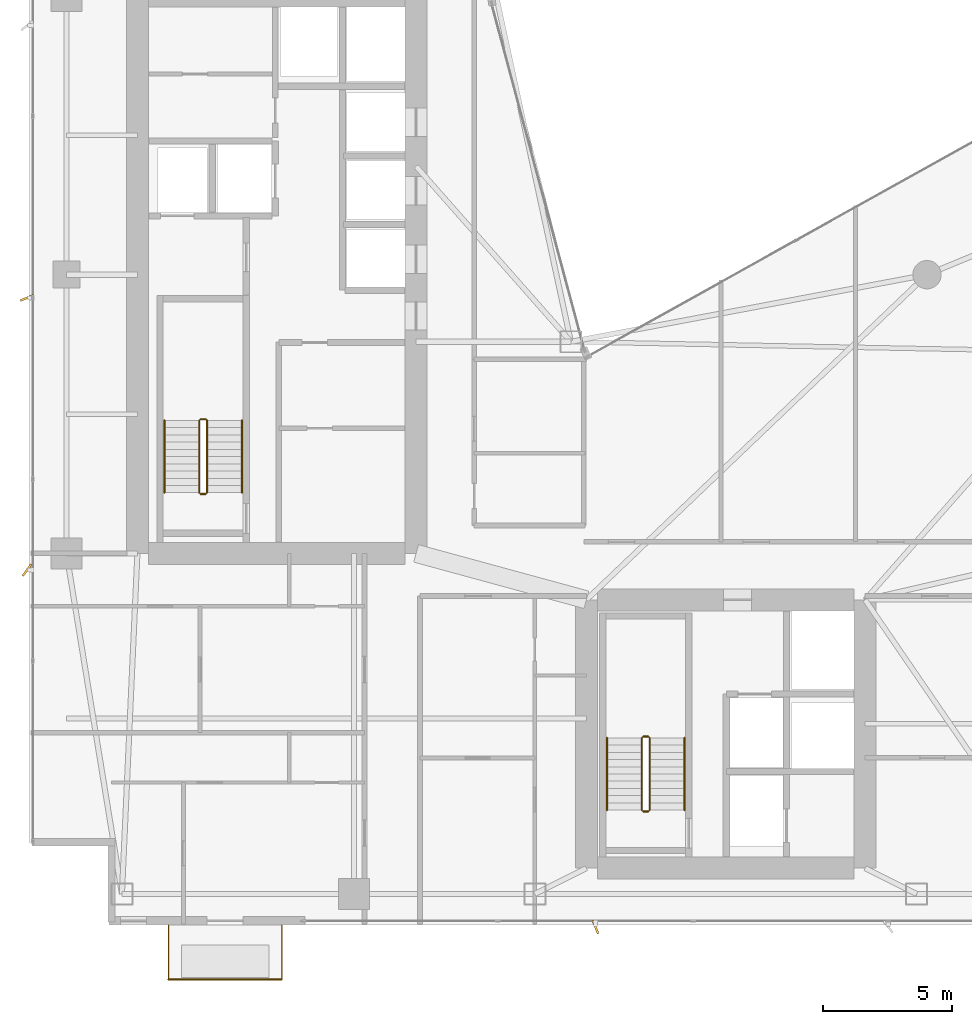
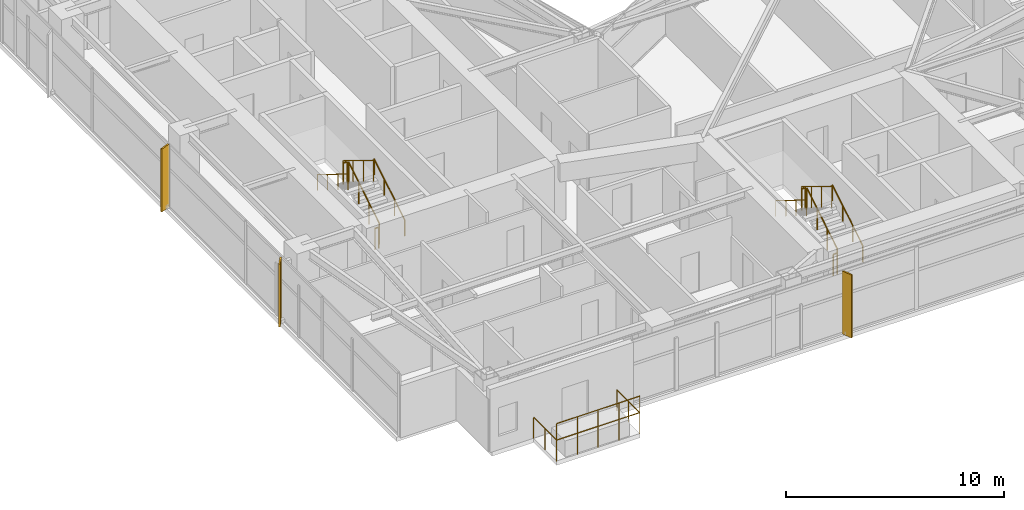
# One storey, part 27 of 28: 14 railings, 3 shading devices.
"""IFC4 building model written with IfcOpenShell, lengths in metres."""

from ifc_helpers import new_model, si_unit, direction, frame, origin, origin_2d, place, context, subcontext, project, spatial, rectangle, circle, extrude, material, type_object, element, save


model = new_model("IFC4")

# Units and contexts
model_context = context("Model", 3, precision=1e-05, world=origin(), true_north=direction((0.0, 1.0)))
body_context = subcontext(model_context, "Body", "Model", "MODEL_VIEW")
ifc_project = project(units=[si_unit("LENGTHUNIT", "METRE"), si_unit("AREAUNIT", "SQUARE_METRE"), si_unit("VOLUMEUNIT", "CUBIC_METRE"), si_unit("PLANEANGLEUNIT", "RADIAN"), si_unit("MASSUNIT", "GRAM", prefix="KILO")], contexts=[model_context])

# Site, building, storey
site_placement = place(None, origin())
site = spatial("IfcSite", under=ifc_project, at=site_placement, CompositionType="ELEMENT")
building_placement = place(site_placement, origin())
building = spatial("IfcBuilding", under=site, at=building_placement, Name="Calvorn Quay Hotel", CompositionType="ELEMENT")
storey_placement = place(building_placement, frame((0.0, 0.0, 182.699951171875)))
storey = spatial("IfcBuildingStorey", under=building, at=storey_placement, Name="L45", CompositionType="ELEMENT", Elevation=182.699951171875)

# Railings
ifc_material_1 = material(Name="Pale Anodised Aluminium and Laminated Glass", Category="aluminium")
railing_type_1 = type_object("IfcRailingType", Name="RLG-BALUSTRADE-1200", PredefinedType="BALUSTRADE", material=ifc_material_1)
railing_1_placement = place(storey_placement, frame((5.39990234375, 2.389892578125, 0.0)))
element("IfcRailing", 1, at=railing_1_placement, inside=storey, type_object=railing_type_1, Name="Tree Balcony Perimeter Balustrade L45-BALC-S", PredefinedType="BALUSTRADE", context=body_context, shape_type="SweptSolid", body=[
    extrude(circle(Radius=0.02392578125, at=origin_2d()), frame((0.0, 0.0, 1.17578125), z_axis=(0.0, -1.0, 0.0), x_axis=(1.0, 0.0, 0.0)), (0.0, 0.0, 1.0), 2.099853515625),
    extrude(circle(Radius=0.02392578125, at=origin_2d()), frame((0.0, -2.099853515625, 1.17578125), z_axis=(1.0, 0.0, 0.0), x_axis=(0.0, 1.0, 0.0)), (0.0, 0.0, 1.0), 4.400146484375),
    extrude(circle(Radius=0.02392578125, at=origin_2d()), frame((4.400146484375, -2.099853515625, 1.17578125), z_axis=(0.0, 1.0, 0.0), x_axis=(-1.0, 0.0, 0.0)), (0.0, 0.0, 1.0), 2.099853515625),
    extrude(circle(Radius=0.02099609375, at=origin_2d()), origin(), (0.0, 0.0, 1.0), 1.15185546875),
    extrude(circle(Radius=0.02099609375, at=origin_2d()), frame((0.0, -1.0498046875, 0.0)), (0.0, 0.0, 1.0), 1.15185546875),
    extrude(circle(Radius=0.02099609375, at=origin_2d()), frame((0.0, -2.099853515625, 0.0)), (0.0, 0.0, 1.0), 1.15185546875),
    extrude(circle(Radius=0.02099609375, at=origin_2d()), frame((1.10009765625, -2.099853515625, 0.0)), (0.0, 0.0, 1.0), 1.15185546875),
    extrude(circle(Radius=0.02099609375, at=origin_2d()), frame((2.2001953125, -2.099853515625, 0.0)), (0.0, 0.0, 1.0), 1.15185546875),
    extrude(circle(Radius=0.02099609375, at=origin_2d()), frame((3.300048828125, -2.099853515625, 0.0)), (0.0, 0.0, 1.0), 1.15185546875),
    extrude(circle(Radius=0.02099609375, at=origin_2d()), frame((4.400146484375, -2.099853515625, 0.0)), (0.0, 0.0, 1.0), 1.15185546875),
    extrude(circle(Radius=0.02099609375, at=origin_2d()), frame((4.400146484375, -1.0498046875, 0.0)), (0.0, 0.0, 1.0), 1.15185546875),
    extrude(circle(Radius=0.02099609375, at=origin_2d()), frame((4.400146484375, 0.0, 0.0)), (0.0, 0.0, 1.0), 1.15185546875),
])
railing_2_placement = place(storey_placement, frame((5.39990234375, 0.2900390625, 0.900146484375)))
element("IfcRailing", 2, at=railing_2_placement, inside=storey, type_object=railing_type_1, Name="Planter Kerb High Safety Screen L45-BALC-S", PredefinedType="BALUSTRADE", context=body_context, shape_type="SweptSolid", body=[
    extrude(circle(Radius=0.02392578125, at=origin_2d()), frame((0.0, 0.0, 1.19580078125), z_axis=(1.0, 0.0, 0.0), x_axis=(0.0, 1.0, 0.0)), (0.0, 0.0, 1.0), 4.400146484375),
    extrude(circle(Radius=0.02099609375, at=origin_2d()), origin(), (0.0, 0.0, 1.0), 1.171875),
    extrude(circle(Radius=0.02099609375, at=origin_2d()), frame((1.10009765625, 0.0, 0.0)), (0.0, 0.0, 1.0), 1.171875),
    extrude(circle(Radius=0.02099609375, at=origin_2d()), frame((2.2001953125, 0.0, 0.0)), (0.0, 0.0, 1.0), 1.171875),
    extrude(circle(Radius=0.02099609375, at=origin_2d()), frame((3.300048828125, 0.0, 0.0)), (0.0, 0.0, 1.0), 1.171875),
    extrude(circle(Radius=0.02099609375, at=origin_2d()), frame((4.400146484375, 0.0, 0.0)), (0.0, 0.0, 1.0), 1.171875),
])
ifc_material_2 = material(Name="Brushed Stainless Steel Handrail", Category="steel")
railing_type_2 = type_object("IfcRailingType", Name="RLG-HANDRAIL-900", PredefinedType="HANDRAIL", material=ifc_material_2)
railing_3_placement = place(storey_placement, frame((8.25, 19.14990234375, 0.1728515625)))
element("IfcRailing", 3, at=railing_3_placement, inside=storey, type_object=railing_type_2, Name="L45 ST-W stair handrail 1", PredefinedType="HANDRAIL", context=body_context, shape_type="SweptSolid", body=[
    extrude(circle(Radius=0.02392578125, at=origin_2d()), frame((0.0, 0.0, 0.8759765625), z_axis=(0.0, 0.851089632645, 0.525020415988), x_axis=(-1.0, 0.0, 0.0)), (0.0, 0.0, 1.0), 3.2900390625),
    extrude(circle(Radius=0.02099609375, at=origin_2d()), origin(), (0.0, 0.0, 1.0), 0.851806640625),
    extrude(circle(Radius=0.02099609375, at=origin_2d()), frame((0.0, 0.933349609375, 0.57568359375)), (0.0, 0.0, 1.0), 0.851806640625),
    extrude(circle(Radius=0.02099609375, at=origin_2d()), frame((0.0, 1.86669921875, 1.151611328125)), (0.0, 0.0, 1.0), 0.851806640625),
    extrude(circle(Radius=0.02099609375, at=origin_2d()), frame((0.0, 2.800048828125, 1.727294921875)), (0.0, 0.0, 1.0), 0.851806640625),
])
railing_4_placement = place(storey_placement, frame((5.25, 21.949951171875, 2.07275390625)))
element("IfcRailing", 4, at=railing_4_placement, inside=storey, type_object=railing_type_2, Name="L45 ST-W stair handrail 2", PredefinedType="HANDRAIL", context=body_context, shape_type="SweptSolid", body=[
    extrude(circle(Radius=0.02392578125, at=origin_2d()), frame((0.0, 0.0, 0.8759765625), z_axis=(0.0, -0.851089632645, 0.525020415988), x_axis=(1.0, 0.0, 0.0)), (0.0, 0.0, 1.0), 3.2900390625),
    extrude(circle(Radius=0.02099609375, at=origin_2d()), origin(), (0.0, 0.0, 1.0), 0.851806640625),
    extrude(circle(Radius=0.02099609375, at=origin_2d()), frame((0.0, -0.933349609375, 0.57568359375)), (0.0, 0.0, 1.0), 0.851806640625),
    extrude(circle(Radius=0.02099609375, at=origin_2d()), frame((0.0, -1.86669921875, 1.151611328125)), (0.0, 0.0, 1.0), 0.851806640625),
    extrude(circle(Radius=0.02099609375, at=origin_2d()), frame((0.0, -2.800048828125, 1.727294921875)), (0.0, 0.0, 1.0), 0.851806640625),
])
railing_5_placement = place(storey_placement, frame((25.39990234375, 6.85009765625, 0.1728515625)))
element("IfcRailing", 5, at=railing_5_placement, inside=storey, type_object=railing_type_2, Name="L45 ST-E stair handrail 1", PredefinedType="HANDRAIL", context=body_context, shape_type="SweptSolid", body=[
    extrude(circle(Radius=0.02392578125, at=origin_2d()), frame((0.0, 0.0, 0.8759765625), z_axis=(0.0, 0.851069175582, 0.525053576669), x_axis=(-1.0, 0.0, 0.0)), (0.0, 0.0, 1.0), 3.289794921875),
    extrude(circle(Radius=0.02099609375, at=origin_2d()), origin(), (0.0, 0.0, 1.0), 0.851806640625),
    extrude(circle(Radius=0.02099609375, at=origin_2d()), frame((0.0, 0.933349609375, 0.57568359375)), (0.0, 0.0, 1.0), 0.851806640625),
    extrude(circle(Radius=0.02099609375, at=origin_2d()), frame((0.0, 1.866455078125, 1.151611328125)), (0.0, 0.0, 1.0), 0.851806640625),
    extrude(circle(Radius=0.02099609375, at=origin_2d()), frame((0.0, 2.7998046875, 1.727294921875)), (0.0, 0.0, 1.0), 0.851806640625),
])
railing_6_placement = place(storey_placement, frame((22.39990234375, 9.64990234375, 2.07275390625)))
element("IfcRailing", 6, at=railing_6_placement, inside=storey, type_object=railing_type_2, Name="L45 ST-E stair handrail 2", PredefinedType="HANDRAIL", context=body_context, shape_type="SweptSolid", body=[
    extrude(circle(Radius=0.02392578125, at=origin_2d()), frame((0.0, 0.0, 0.8759765625), z_axis=(0.0, -0.851069175582, 0.525053576669), x_axis=(1.0, 0.0, 0.0)), (0.0, 0.0, 1.0), 3.289794921875),
    extrude(circle(Radius=0.02099609375, at=origin_2d()), origin(), (0.0, 0.0, 1.0), 0.851806640625),
    extrude(circle(Radius=0.02099609375, at=origin_2d()), frame((0.0, -0.933349609375, 0.57568359375)), (0.0, 0.0, 1.0), 0.851806640625),
    extrude(circle(Radius=0.02099609375, at=origin_2d()), frame((0.0, -1.866455078125, 1.151611328125)), (0.0, 0.0, 1.0), 0.851806640625),
    extrude(circle(Radius=0.02099609375, at=origin_2d()), frame((0.0, -2.7998046875, 1.727294921875)), (0.0, 0.0, 1.0), 0.851806640625),
])
ifc_material_3 = material(Name="Painted Galvanised Steel Balustrade", Category="steel")
railing_type_3 = type_object("IfcRailingType", Name="RLG-STAIR-GUARD-1120", PredefinedType="GUARDRAIL", material=ifc_material_3)
railing_7_placement = place(storey_placement, frame((6.89990234375, 19.14990234375, 0.1728515625)))
element("IfcRailing", 7, at=railing_7_placement, inside=storey, type_object=railing_type_3, Name="L45 ST-W stair guard 1", PredefinedType="GUARDRAIL", context=body_context, shape_type="SweptSolid", body=[
    extrude(circle(Radius=0.02392578125, at=origin_2d()), frame((0.0, 0.0, 1.17578125), z_axis=(0.0, 0.851089632645, 0.525020415988), x_axis=(-1.0, 0.0, 0.0)), (0.0, 0.0, 1.0), 3.2900390625),
    extrude(circle(Radius=0.02099609375, at=origin_2d()), origin(), (0.0, 0.0, 1.0), 1.15185546875),
    extrude(circle(Radius=0.02099609375, at=origin_2d()), frame((0.0, 0.933349609375, 0.57568359375)), (0.0, 0.0, 1.0), 1.15185546875),
    extrude(circle(Radius=0.02099609375, at=origin_2d()), frame((0.0, 1.86669921875, 1.151611328125)), (0.0, 0.0, 1.0), 1.15185546875),
    extrude(circle(Radius=0.02099609375, at=origin_2d()), frame((0.0, 2.800048828125, 1.727294921875)), (0.0, 0.0, 1.0), 1.15185546875),
])
railing_8_placement = place(storey_placement, frame((6.85009765625, 22.0, 1.900146484375)))
element("IfcRailing", 8, at=railing_8_placement, inside=storey, type_object=railing_type_3, Name="L45 ST-W stair guard 2", PredefinedType="GUARDRAIL", context=body_context, shape_type="SweptSolid", body=[
    extrude(circle(Radius=0.02392578125, at=origin_2d()), frame((0.0, 0.0, 1.17578125), z_axis=(-1.0, 0.0, 0.0), x_axis=(0.0, -1.0, 0.0)), (0.0, 0.0, 1.0), 0.2001953125),
    extrude(circle(Radius=0.02099609375, at=origin_2d()), origin(), (0.0, 0.0, 1.0), 1.15185546875),
    extrude(circle(Radius=0.02099609375, at=origin_2d()), frame((-0.2001953125, 0.0, 0.0)), (0.0, 0.0, 1.0), 1.15185546875),
])
railing_9_placement = place(storey_placement, frame((6.60009765625, 21.949951171875, 2.07275390625)))
element("IfcRailing", 9, at=railing_9_placement, inside=storey, type_object=railing_type_3, Name="L45 ST-W stair guard 3", PredefinedType="GUARDRAIL", context=body_context, shape_type="SweptSolid", body=[
    extrude(circle(Radius=0.02392578125, at=origin_2d()), frame((0.0, 0.0, 1.17578125), z_axis=(0.0, -0.851089632645, 0.525020415988), x_axis=(1.0, 0.0, 0.0)), (0.0, 0.0, 1.0), 3.2900390625),
    extrude(circle(Radius=0.02099609375, at=origin_2d()), origin(), (0.0, 0.0, 1.0), 1.15185546875),
    extrude(circle(Radius=0.02099609375, at=origin_2d()), frame((0.0, -0.933349609375, 0.57568359375)), (0.0, 0.0, 1.0), 1.15185546875),
    extrude(circle(Radius=0.02099609375, at=origin_2d()), frame((0.0, -1.86669921875, 1.151611328125)), (0.0, 0.0, 1.0), 1.15185546875),
    extrude(circle(Radius=0.02099609375, at=origin_2d()), frame((0.0, -2.800048828125, 1.727294921875)), (0.0, 0.0, 1.0), 1.15185546875),
])
railing_10_placement = place(storey_placement, frame((6.85009765625, 19.10009765625, 0.0)))
element("IfcRailing", 10, at=railing_10_placement, inside=storey, type_object=railing_type_3, Name="L45 ST-W stair guard 4", PredefinedType="GUARDRAIL", context=body_context, shape_type="SweptSolid", body=[
    extrude(circle(Radius=0.02392578125, at=origin_2d()), frame((0.0, 0.0, 1.17578125), z_axis=(-1.0, 0.0, 0.0), x_axis=(0.0, -1.0, 0.0)), (0.0, 0.0, 1.0), 0.2001953125),
    extrude(circle(Radius=0.02099609375, at=origin_2d()), origin(), (0.0, 0.0, 1.0), 1.15185546875),
    extrude(circle(Radius=0.02099609375, at=origin_2d()), frame((-0.2001953125, 0.0, 0.0)), (0.0, 0.0, 1.0), 1.15185546875),
])
railing_11_placement = place(storey_placement, frame((24.050048828125, 6.85009765625, 0.1728515625)))
element("IfcRailing", 11, at=railing_11_placement, inside=storey, type_object=railing_type_3, Name="L45 ST-E stair guard 1", PredefinedType="GUARDRAIL", context=body_context, shape_type="SweptSolid", body=[
    extrude(circle(Radius=0.02392578125, at=origin_2d()), frame((0.0, 0.0, 1.17578125), z_axis=(0.0, 0.851069175582, 0.525053576669), x_axis=(-1.0, 0.0, 0.0)), (0.0, 0.0, 1.0), 3.289794921875),
    extrude(circle(Radius=0.02099609375, at=origin_2d()), origin(), (0.0, 0.0, 1.0), 1.15185546875),
    extrude(circle(Radius=0.02099609375, at=origin_2d()), frame((0.0, 0.933349609375, 0.57568359375)), (0.0, 0.0, 1.0), 1.15185546875),
    extrude(circle(Radius=0.02099609375, at=origin_2d()), frame((0.0, 1.866455078125, 1.151611328125)), (0.0, 0.0, 1.0), 1.15185546875),
    extrude(circle(Radius=0.02099609375, at=origin_2d()), frame((0.0, 2.7998046875, 1.727294921875)), (0.0, 0.0, 1.0), 1.15185546875),
])
railing_12_placement = place(storey_placement, frame((24.0, 9.699951171875, 1.900146484375)))
element("IfcRailing", 12, at=railing_12_placement, inside=storey, type_object=railing_type_3, Name="L45 ST-E stair guard 2", PredefinedType="GUARDRAIL", context=body_context, shape_type="SweptSolid", body=[
    extrude(circle(Radius=0.02392578125, at=origin_2d()), frame((0.0, 0.0, 1.17578125), z_axis=(-1.0, 0.0, 0.0), x_axis=(0.0, -1.0, 0.0)), (0.0, 0.0, 1.0), 0.199951171875),
    extrude(circle(Radius=0.02099609375, at=origin_2d()), origin(), (0.0, 0.0, 1.0), 1.15185546875),
    extrude(circle(Radius=0.02099609375, at=origin_2d()), frame((-0.199951171875, 0.0, 0.0)), (0.0, 0.0, 1.0), 1.15185546875),
])
railing_13_placement = place(storey_placement, frame((23.75, 9.64990234375, 2.07275390625)))
element("IfcRailing", 13, at=railing_13_placement, inside=storey, type_object=railing_type_3, Name="L45 ST-E stair guard 3", PredefinedType="GUARDRAIL", context=body_context, shape_type="SweptSolid", body=[
    extrude(circle(Radius=0.02392578125, at=origin_2d()), frame((0.0, 0.0, 1.17578125), z_axis=(0.0, -0.851069175582, 0.525053576669), x_axis=(1.0, 0.0, 0.0)), (0.0, 0.0, 1.0), 3.289794921875),
    extrude(circle(Radius=0.02099609375, at=origin_2d()), origin(), (0.0, 0.0, 1.0), 1.15185546875),
    extrude(circle(Radius=0.02099609375, at=origin_2d()), frame((0.0, -0.933349609375, 0.57568359375)), (0.0, 0.0, 1.0), 1.15185546875),
    extrude(circle(Radius=0.02099609375, at=origin_2d()), frame((0.0, -1.866455078125, 1.151611328125)), (0.0, 0.0, 1.0), 1.15185546875),
    extrude(circle(Radius=0.02099609375, at=origin_2d()), frame((0.0, -2.7998046875, 1.727294921875)), (0.0, 0.0, 1.0), 1.15185546875),
])
railing_14_placement = place(storey_placement, frame((24.0, 6.800048828125, 0.0)))
element("IfcRailing", 14, at=railing_14_placement, inside=storey, type_object=railing_type_3, Name="L45 ST-E stair guard 4", PredefinedType="GUARDRAIL", context=body_context, shape_type="SweptSolid", body=[
    extrude(circle(Radius=0.02392578125, at=origin_2d()), frame((0.0, 0.0, 1.17578125), z_axis=(-1.0, 0.0, 0.0), x_axis=(0.0, -1.0, 0.0)), (0.0, 0.0, 1.0), 0.199951171875),
    extrude(circle(Radius=0.02099609375, at=origin_2d()), origin(), (0.0, 0.0, 1.0), 1.15185546875),
    extrude(circle(Radius=0.02099609375, at=origin_2d()), frame((-0.199951171875, 0.0, 0.0)), (0.0, 0.0, 1.0), 1.15185546875),
])

# Shading devices
ifc_material_4 = material(Name="Champagne Bronze Anodised Aluminium 6063-T6", Category="aluminium")
shading_device_type_1 = type_object("IfcShadingDeviceType", Name="SHD-FIN-A1", PredefinedType="USERDEFINED", material=ifc_material_4)
for number, where, z_axis, x_axis, name in (
    (15, (-0.080078125, 26.699951171875, 0.0), (0.0, 0.0, 1.0), (0.927183854567, 0.374606593416, 0.0), "Diagonal Sun-Shading Fin L45-W02"),
    (16, (21.949951171875, 2.320068359375, 0.0), (0.0, 0.0, 1.0), (-0.374606593416, 0.927183854567, 0.0), "Diagonal Sun-Shading Fin L45-S01"),
):
    element("IfcShadingDevice", number, at=place(storey_placement, frame(where, z_axis=z_axis, x_axis=x_axis)), inside=storey, type_object=shading_device_type_1, Name=name, ObjectType="FIN", PredefinedType="USERDEFINED", context=body_context, shape_type="SweptSolid", body=[
        extrude(rectangle(XDim=0.550048828125, YDim=0.080078125, at=origin_2d()), origin(), (0.0, 0.0, 1.0), 3.52001953125),
    ])
ifc_material_5 = material(Name="Champagne Bronze Anodised Aluminium 6063-T6", Category="aluminium")
shading_device_type_2 = type_object("IfcShadingDeviceType", Name="SHD-FIN-A3", PredefinedType="USERDEFINED", material=ifc_material_5)
shading_device_placement = place(storey_placement, frame((-0.080078125, 16.14990234375, 0.0), z_axis=(0.0, 0.0, 1.0), x_axis=(0.587785252292, 0.809016994375, 0.0)))
element("IfcShadingDevice", 17, at=shading_device_placement, inside=storey, type_object=shading_device_type_2, Name="Diagonal Sun-Shading Fin L45-W01", ObjectType="FIN", PredefinedType="USERDEFINED", context=body_context, shape_type="SweptSolid", body=[
    extrude(rectangle(XDim=0.550048828125, YDim=0.080078125, at=origin_2d()), origin(), (0.0, 0.0, 1.0), 3.52001953125),
])

save(model, "model.ifc")
